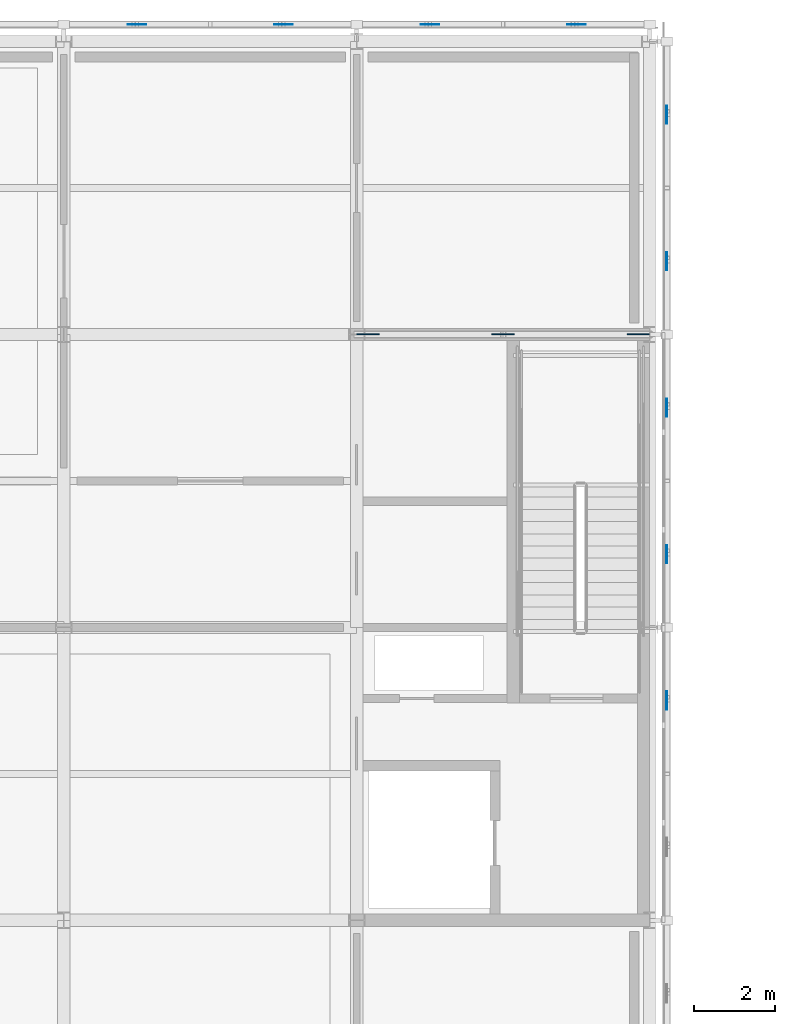
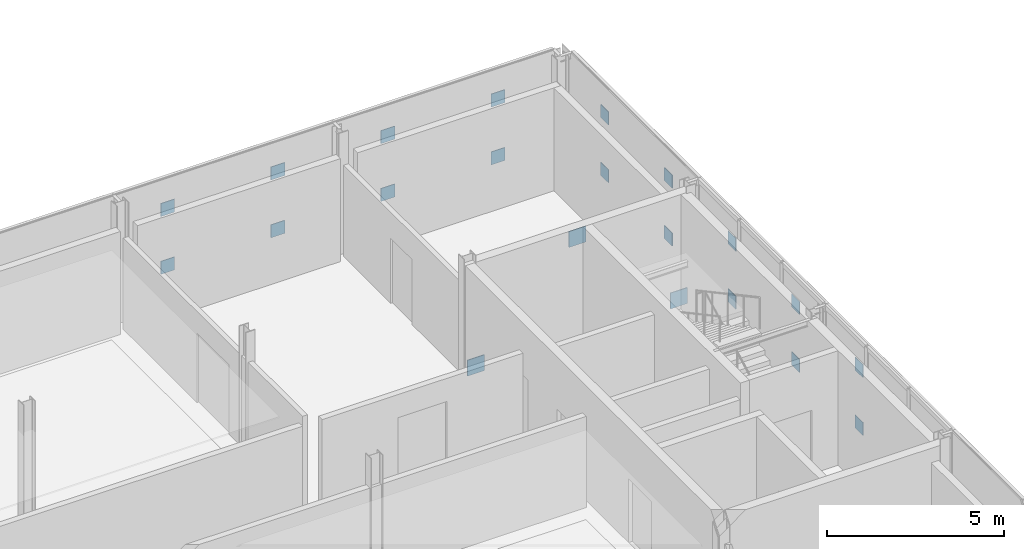
# One storey, part 96 of 126: 21 plates.
"""IFC4 building model written with IfcOpenShell, lengths in metres."""

from ifc_helpers import new_model, si_unit, direction, frame, origin, origin_2d, place, context, subcontext, project, spatial, rectangle, extrude, material, layer, layer_set, type_object, element, save


model = new_model("IFC4")

# Units and contexts
model_context = context("Model", 3, precision=1e-05, world=origin(), true_north=direction((0.0, 1.0)))
body_context = subcontext(model_context, "Body", "Model", "MODEL_VIEW")
ifc_project = project(units=[si_unit("LENGTHUNIT", "METRE"), si_unit("AREAUNIT", "SQUARE_METRE"), si_unit("VOLUMEUNIT", "CUBIC_METRE"), si_unit("PLANEANGLEUNIT", "RADIAN"), si_unit("MASSUNIT", "GRAM", prefix="KILO")], contexts=[model_context])

# Site, building, storey
site_placement = place(None, origin())
site = spatial("IfcSite", under=ifc_project, at=site_placement, CompositionType="ELEMENT")
building_placement = place(site_placement, origin())
building = spatial("IfcBuilding", under=site, at=building_placement, Name="Zlatovets Crest Museum", CompositionType="ELEMENT")
storey_placement = place(building_placement, frame((0.0, 0.0, 8.699951171875)))
storey = spatial("IfcBuildingStorey", under=building, at=storey_placement, Name="L02", CompositionType="ELEMENT", Elevation=8.699951171875)

# Plates
ifc_material = material(Name="Structural steel S355J2", Category="steel")
ifc_layer_1 = layer(ifc_material, 0.02490234375)
ifc_layer_set_1 = layer_set([ifc_layer_1], Name="Structural steel S355J2")
plate_type_1 = type_object("IfcPlateType", Name="Gusset_GP-01", PredefinedType="USERDEFINED", material=ifc_layer_set_1)
for number, where, z_axis, x_axis, name in (
    (1, (101.080078125, 108.0, 0.0048828125), (0.0, 0.0, 1.0), (1.0, 0.0, 0.0), "V1 L02 Brace End Gusset Plate GP-01"),
    (2, (107.719970703125, 108.0, 0.0048828125), (0.0, 0.0, 1.0), (1.0, 0.0, 0.0), "V1 L02 Brace End Gusset Plate GP-01"),
    (3, (104.39990234375, 108.0, 3.294921875), (0.0, 0.0, 1.0), (1.0, 0.0, 0.0), "V1 L02 Brace End Gusset Plate GP-01"),
):
    element("IfcPlate", number, at=place(storey_placement, frame(where, z_axis=z_axis, x_axis=x_axis)), inside=storey, type_object=plate_type_1, Name=name, ObjectType="GUSSET", PredefinedType="USERDEFINED", context=body_context, shape_type="SweptSolid", body=[
        extrude(rectangle(XDim=0.550048828125, YDim=0.02490234375, at=origin_2d()), origin(), (0.0, 0.0, 1.0), 0.550048828125),
    ])
ifc_layer_2 = layer(ifc_material, 0.02001953125)
ifc_layer_set_2 = layer_set([ifc_layer_2], Name="Structural steel S355J2")
plate_type_2 = type_object("IfcPlateType", Name="Gusset_GP-04", PredefinedType="USERDEFINED", material=ifc_layer_set_2)
for number, where, z_axis, x_axis, name in (
    (4, (108.419921875, 99.0, 0.875), (0.0, 0.0, 1.0), (1.0, 0.0, 0.0), "X-Brace Crossing Node Gusset Plate GP-04"),
    (5, (108.419921875, 99.0, 2.875), (0.0, 0.0, 1.0), (1.0, 0.0, 0.0), "X-Brace Crossing Node Gusset Plate GP-04"),
    (6, (108.419921875, 102.60009765625, 0.875), (0.0, 0.0, 1.0), (1.0, 0.0, 0.0), "X-Brace Crossing Node Gusset Plate GP-04"),
    (7, (108.419921875, 106.199951171875, 0.875), (0.0, 0.0, 1.0), (1.0, 0.0, 0.0), "X-Brace Crossing Node Gusset Plate GP-04"),
    (8, (108.419921875, 102.60009765625, 2.875), (0.0, 0.0, 1.0), (1.0, 0.0, 0.0), "X-Brace Crossing Node Gusset Plate GP-04"),
    (9, (108.419921875, 106.199951171875, 2.875), (0.0, 0.0, 1.0), (1.0, 0.0, 0.0), "X-Brace Crossing Node Gusset Plate GP-04"),
    (10, (108.419921875, 109.800048828125, 0.875), (0.0, 0.0, 1.0), (1.0, 0.0, 0.0), "X-Brace Crossing Node Gusset Plate GP-04"),
    (11, (108.419921875, 113.39990234375, 0.875), (0.0, 0.0, 1.0), (1.0, 0.0, 0.0), "X-Brace Crossing Node Gusset Plate GP-04"),
    (12, (108.419921875, 109.800048828125, 2.875), (0.0, 0.0, 1.0), (1.0, 0.0, 0.0), "X-Brace Crossing Node Gusset Plate GP-04"),
    (13, (108.419921875, 113.39990234375, 2.875), (0.0, 0.0, 1.0), (1.0, 0.0, 0.0), "X-Brace Crossing Node Gusset Plate GP-04"),
):
    element("IfcPlate", number, at=place(storey_placement, frame(where, z_axis=z_axis, x_axis=x_axis)), inside=storey, type_object=plate_type_2, Name=name, ObjectType="GUSSET", PredefinedType="USERDEFINED", context=body_context, shape_type="SweptSolid", body=[
        extrude(rectangle(XDim=0.02001953125, YDim=0.449951171875, at=origin_2d()), origin(), (0.0, 0.0, 1.0), 0.449951171875),
    ])
for number, where, z_axis, x_axis, name in (
    (14, (106.199951171875, 115.6201171875, 0.875), (0.0, 0.0, 1.0), (1.0, 0.0, 0.0), "X-Brace Crossing Node Gusset Plate GP-04"),
    (15, (102.60009765625, 115.6201171875, 0.875), (0.0, 0.0, 1.0), (1.0, 0.0, 0.0), "X-Brace Crossing Node Gusset Plate GP-04"),
    (16, (106.199951171875, 115.6201171875, 2.875), (0.0, 0.0, 1.0), (1.0, 0.0, 0.0), "X-Brace Crossing Node Gusset Plate GP-04"),
    (17, (102.60009765625, 115.6201171875, 2.875), (0.0, 0.0, 1.0), (1.0, 0.0, 0.0), "X-Brace Crossing Node Gusset Plate GP-04"),
    (18, (99.0, 115.6201171875, 0.875), (0.0, 0.0, 1.0), (1.0, 0.0, 0.0), "X-Brace Crossing Node Gusset Plate GP-04"),
    (19, (95.39990234375, 115.6201171875, 0.875), (0.0, 0.0, 1.0), (1.0, 0.0, 0.0), "X-Brace Crossing Node Gusset Plate GP-04"),
    (20, (99.0, 115.6201171875, 2.875), (0.0, 0.0, 1.0), (1.0, 0.0, 0.0), "X-Brace Crossing Node Gusset Plate GP-04"),
    (21, (95.39990234375, 115.6201171875, 2.875), (0.0, 0.0, 1.0), (1.0, 0.0, 0.0), "X-Brace Crossing Node Gusset Plate GP-04"),
):
    element("IfcPlate", number, at=place(storey_placement, frame(where, z_axis=z_axis, x_axis=x_axis)), inside=storey, type_object=plate_type_2, Name=name, ObjectType="GUSSET", PredefinedType="USERDEFINED", context=body_context, shape_type="SweptSolid", body=[
        extrude(rectangle(XDim=0.449951171875, YDim=0.02001953125, at=origin_2d()), origin(), (0.0, 0.0, 1.0), 0.449951171875),
    ])

save(model, "model.ifc")
